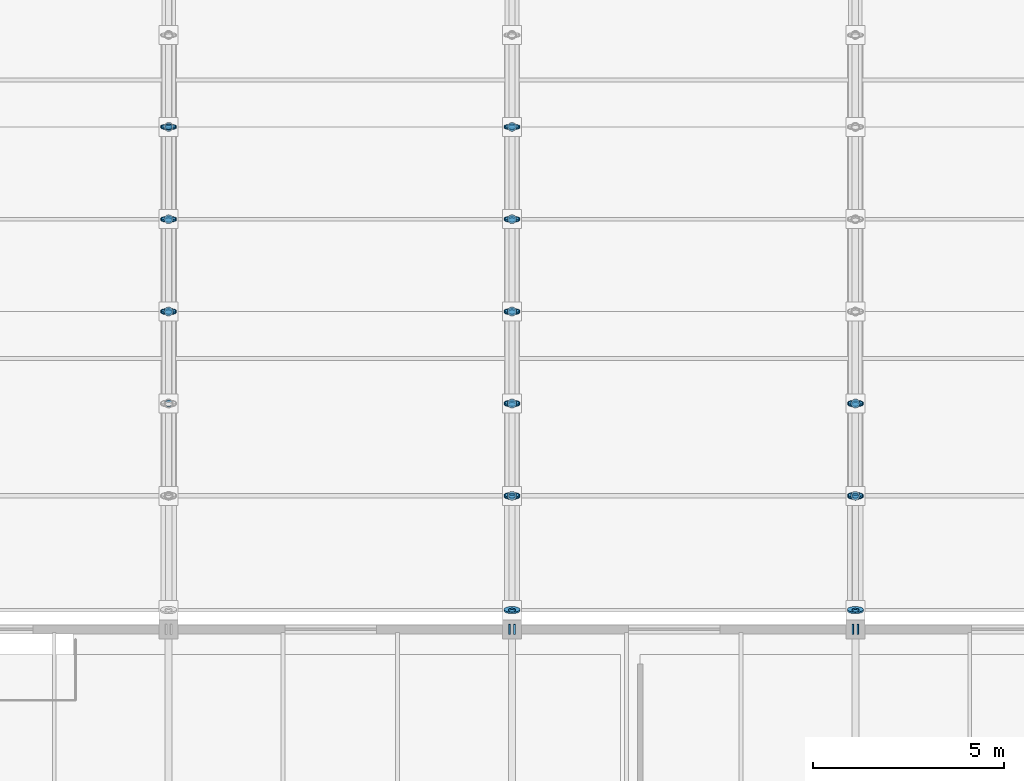
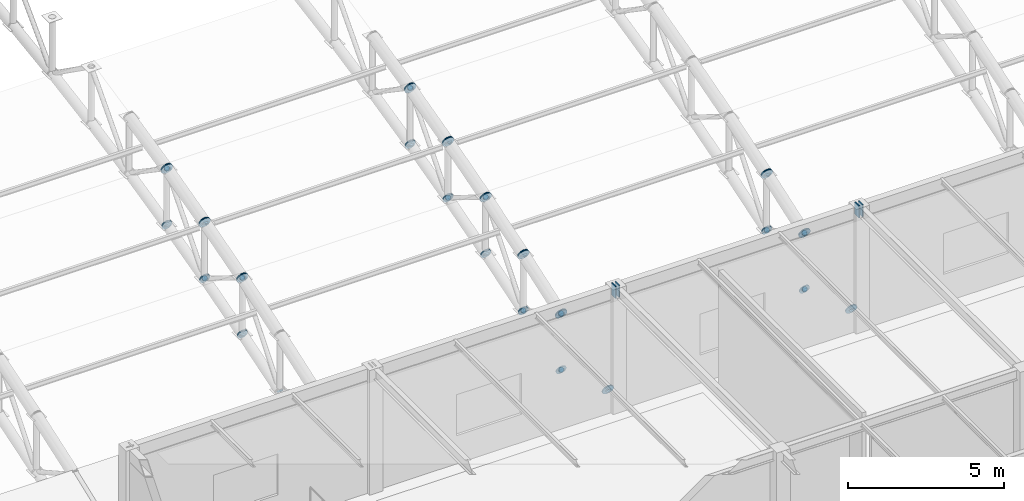
# One storey, part 147 of 195: 87 discrete accessories.
"""IFC4 building model written with IfcOpenShell, lengths in metres."""

import ifcopenshell
import ifcopenshell.guid

model = None  # the IFC model being written
_history = None  # IfcOwnerHistory: only IFC2X3 demands one
_inside = {}  # id of a spatial element -> (the spatial element, [elements in it])
_under = {}  # id of a project, library or spatial element -> (it, [spatial elements below it])
_declared = {}  # id of a project -> (the project, [libraries it declares])
_typed = {}  # id of a type object -> (the type object, [elements of that type])
_made_of = {}  # id of a material, layer set ... -> (it, [elements and type objects made of it])


def new_model(schema):
    """Start an empty IFC model of exactly this schema.

    Asked for "IFC4X3", IfcOpenShell would pick the latest addendum, in which some entities
    have other attributes; the version numbers below select the first issue.
    IFC2X3 requires an IfcOwnerHistory on every rooted entity: one is made here for all.
    """
    global model, _history
    if schema == "IFC4X3":
        model = ifcopenshell.file(schema_version=(4, 3, 0, 0))
    else:
        model = ifcopenshell.file(schema=schema)
    _inside.clear()
    _under.clear()
    _declared.clear()
    _typed.clear()
    _made_of.clear()
    _history = None
    if model.schema == "IFC2X3":
        org = make("IfcOrganization", Name="unknown")
        user = make(
            "IfcPersonAndOrganization",
            ThePerson=make("IfcPerson", FamilyName="unknown"),
            TheOrganization=org,
        )
        app = make(
            "IfcApplication",
            ApplicationDeveloper=org,
            Version="unknown",
            ApplicationFullName="unknown",
            ApplicationIdentifier="unknown",
        )
        _history = make(
            "IfcOwnerHistory",
            OwningUser=user,
            OwningApplication=app,
            ChangeAction="ADDED",
            CreationDate=0,
        )
    return model


def make(cls, **values):
    """One entity of the class cls with the attributes given. An attribute that is None is left unset."""
    return model.create_entity(
        cls, **{name: value for name, value in values.items() if value is not None}
    )


def rooted(cls, **values):
    """An entity with a GlobalId (a new one), such as an element, a storey or a relation."""
    return make(cls, GlobalId=ifcopenshell.guid.new(), OwnerHistory=_history, **values)


def si_unit(unit_type, name, prefix=None):
    """IfcSIUnit, for example si_unit("LENGTHUNIT", "METRE", prefix="MILLI")."""
    return make("IfcSIUnit", UnitType=unit_type, Prefix=prefix, Name=name)


def assignment(units):
    """IfcUnitAssignment: the units of a project."""
    return None if units is None else make("IfcUnitAssignment", Units=units)


def point(xyz):
    """IfcCartesianPoint."""
    return None if xyz is None else make("IfcCartesianPoint", Coordinates=xyz)


def direction(xyz):
    """IfcDirection."""
    return None if xyz is None else make("IfcDirection", DirectionRatios=xyz)


def frame(location, z_axis=None, x_axis=None):
    """IfcAxis2Placement3D, a coordinate frame: its origin and axes. An axis left out is left unset."""
    return make(
        "IfcAxis2Placement3D",
        Location=point(location),
        Axis=direction(z_axis),
        RefDirection=direction(x_axis),
    )


def frame_2d(location, x_axis=None):
    """IfcAxis2Placement2D, a coordinate frame in the plane: its origin and x axis."""
    return make(
        "IfcAxis2Placement2D", Location=point(location), RefDirection=direction(x_axis)
    )


def origin():
    """The frame at (0, 0, 0) with its axes left unset."""
    return frame((0.0, 0.0, 0.0))


def origin_2d():
    """The frame at (0, 0) in the plane with its x axis left unset."""
    return frame_2d((0.0, 0.0))


def place(relative_to, where):
    """IfcLocalPlacement: puts the frame where relative to a parent placement (None: the world)."""
    return make(
        "IfcLocalPlacement", PlacementRelTo=relative_to, RelativePlacement=where
    )


def context(
    kind, dimensions, precision=None, world=None, true_north=None, identifier=None
):
    """IfcGeometricRepresentationContext, for example the 3D "Model" context."""
    return make(
        "IfcGeometricRepresentationContext",
        ContextIdentifier=identifier,
        ContextType=kind,
        CoordinateSpaceDimension=dimensions,
        Precision=precision,
        WorldCoordinateSystem=world,
        TrueNorth=true_north,
    )


def subcontext(parent, identifier, kind, view, scale=None):
    """IfcGeometricRepresentationSubContext, for example "Body" below "Model"."""
    return make(
        "IfcGeometricRepresentationSubContext",
        ContextIdentifier=identifier,
        ContextType=kind,
        ParentContext=parent,
        TargetScale=scale,
        TargetView=view,
    )


def project(units=None, contexts=None):
    """IfcProject with its units and contexts."""
    return rooted(
        "IfcProject",
        Name="project",
        RepresentationContexts=contexts,
        UnitsInContext=assignment(units),
    )


def spatial(cls, under=None, at=None, **own):
    """A site, building, storey or space (cls), placed at a placement, below another one or the project."""
    s = rooted(cls, ObjectPlacement=at, **own)
    if under is not None:
        _under.setdefault(under.id(), (under, []))[1].append(s)
    return s


def profile(cls, at=None, kind="AREA", **sizes):
    """A parametric profile (cls). Its sizes go by their IFC names, for example OverallWidth=200.0."""
    return make(cls, ProfileType=kind, Position=at, **sizes)


def rectangle(**sizes):
    """IfcRectangleProfileDef."""
    return profile("IfcRectangleProfileDef", **sizes)


def circle(**sizes):
    """IfcCircleProfileDef."""
    return profile("IfcCircleProfileDef", **sizes)


def extrude(swept, where, along, depth):
    """IfcExtrudedAreaSolid: the profile swept, set in the frame where, extruded along a direction by depth."""
    return make(
        "IfcExtrudedAreaSolid",
        SweptArea=swept,
        Position=where,
        ExtrudedDirection=direction(along),
        Depth=depth,
    )


def shape(context_of_items, identifier, shape_type, items):
    """IfcShapeRepresentation: the items that make up one representation, for example the "Body"."""
    return make(
        "IfcShapeRepresentation",
        ContextOfItems=context_of_items,
        RepresentationIdentifier=identifier,
        RepresentationType=shape_type,
        Items=items,
    )


def material(Name=None, Category=None):
    """IfcMaterial."""
    return make("IfcMaterial", Name=Name, Category=Category)


def made_of(thing, what):
    """Note that an element or type object is made of a material, layer set ...; save() writes the relation."""
    if what is not None:
        _made_of.setdefault(what.id(), (what, []))[1].append(thing)
    return thing


def element(
    cls,
    number,
    at=None,
    inside=None,
    cuts=None,
    type_object=None,
    material=None,
    context=None,
    identifier="Body",
    shape_type=None,
    held_by="IfcProductDefinitionShape",
    body=None,
    shapes=None,
    **own,
):
    """One element of the class cls, such as IfcWall. Its Tag is "e" and its number.

    at: its placement. inside: the storey or other place that contains it. cuts: it is an
    opening in that element (IfcRelVoidsElement). A single representation is given by context,
    identifier, shape_type and body (its items); several are given by shapes. held_by: the class
    of the entity that holds the representations. save() writes the other relations.
    """
    e = rooted(cls, Tag="e%d" % number, ObjectPlacement=at, **own)
    if body is not None:
        shapes = [shape(context, identifier, shape_type, body)]
    if shapes is not None:
        e.Representation = make(held_by, Representations=shapes)
    if inside is not None:
        _inside.setdefault(inside.id(), (inside, []))[1].append(e)
    if cuts is not None:
        rooted(
            "IfcRelVoidsElement", RelatingBuildingElement=cuts, RelatedOpeningElement=e
        )
    if type_object is not None:
        _typed.setdefault(type_object.id(), (type_object, []))[1].append(e)
    return made_of(e, material)


def aggregate(whole, parts):
    """IfcRelAggregates: a whole, such as a stair, and the parts it consists of."""
    return rooted("IfcRelAggregates", RelatingObject=whole, RelatedObjects=parts)


def save(model, path):
    """Write the relations noted so far, then the file.

    IfcRelAggregates (storeys below a building ...), IfcRelContainedInSpatialStructure (elements
    in a storey), IfcRelDefinesByType, IfcRelAssociatesMaterial and IfcRelDeclares: one each for
    every whole, place, type object, material and project.
    """
    for whole, parts in _under.values():
        aggregate(whole, parts)
    for where, things in _inside.values():
        rooted(
            "IfcRelContainedInSpatialStructure",
            RelatedElements=things,
            RelatingStructure=where,
        )
    for kind, things in _typed.values():
        rooted("IfcRelDefinesByType", RelatedObjects=things, RelatingType=kind)
    for what, things in _made_of.values():
        rooted("IfcRelAssociatesMaterial", RelatedObjects=things, RelatingMaterial=what)
    for by, libraries in _declared.values():
        rooted("IfcRelDeclares", RelatingContext=by, RelatedDefinitions=libraries)
    model.write(path)


model = new_model("IFC4")

# Units and contexts
model_context = context("Model", 3, precision=1e-05, world=origin(), true_north=direction((0.0, 1.0)))
body_context = subcontext(model_context, "Body", "Model", "MODEL_VIEW")
ifc_project = project(units=[si_unit("LENGTHUNIT", "METRE"), si_unit("AREAUNIT", "SQUARE_METRE"), si_unit("VOLUMEUNIT", "CUBIC_METRE"), si_unit("PLANEANGLEUNIT", "RADIAN"), si_unit("MASSUNIT", "GRAM", prefix="KILO")], contexts=[model_context])

# Site, building, storey
site_placement = place(None, origin())
site = spatial("IfcSite", under=ifc_project, at=site_placement, CompositionType="ELEMENT")
building_placement = place(site_placement, origin())
building = spatial("IfcBuilding", under=site, at=building_placement, Name="Marlcrest Central Station", CompositionType="ELEMENT")
storey_placement = place(building_placement, frame((0.0, 0.0, 9.800048828125)))
storey = spatial("IfcBuildingStorey", under=building, at=storey_placement, Name="L02", CompositionType="ELEMENT", Elevation=9.800048828125)

# Discrete accessories
ifc_material = material(Name="Steel S355", Category="steel")
for number, where, z_axis, x_axis, name in (
    (1, (170.9150390625, 33.0, 4.64501953125), (1.0, 0.0, 0.0), (0.0, 1.0, 0.0), "endcap-bm-SP-02-L02-00974-e"),
    (2, (171.045166015625, 33.0, 4.64501953125), (1.0, 0.0, 0.0), (0.0, 1.0, 0.0), "endcap-bm-SP-02-L02-00975-s"),
    (3, (179.9150390625, 33.0, 4.64501953125), (1.0, 0.0, 0.0), (0.0, 1.0, 0.0), "endcap-bm-SP-02-L02-00975-e"),
    (4, (180.045166015625, 33.0, 4.64501953125), (1.0, 0.0, 0.0), (0.0, 1.0, 0.0), "endcap-bm-SP-02-L02-00976-s"),
):
    element("IfcDiscreteAccessory", number, at=place(storey_placement, frame(where, z_axis=z_axis, x_axis=x_axis)), inside=storey, material=ifc_material, Name=name, ObjectType="END_CAP_PLATE", PredefinedType="BRACKET", context=body_context, shape_type="SweptSolid", body=[
        extrude(rectangle(XDim=0.26611328125, YDim=0.466064453125, at=origin_2d()), origin(), (0.0, 0.0, 1.0), 0.0400390625),
    ])
discrete_accessory_1_placement = place(storey_placement, frame((162.0, 41.306396484375, 3.2158203125), z_axis=(0.0, 0.952116828449, 0.305734435391), x_axis=(-1.0, 0.0, 0.0)))
element("IfcDiscreteAccessory", 5, at=discrete_accessory_1_placement, inside=storey, material=ifc_material, Name="endcap-mem-AC-01-L02-01328-e", ObjectType="END_CAP_PLATE", PredefinedType="BRACKET", context=body_context, shape_type="SweptSolid", body=[
    extrude(circle(Radius=0.211181640625, at=origin_2d()), origin(), (0.0, 0.0, 1.0), 0.0400390625),
])
discrete_accessory_2_placement = place(storey_placement, frame((162.0, 41.306396484375, 1.015869140625), z_axis=(0.0, 0.952116828449, 0.305734435391), x_axis=(-1.0, 0.0, 0.0)))
element("IfcDiscreteAccessory", 6, at=discrete_accessory_2_placement, inside=storey, material=ifc_material, Name="endcap-mem-AC-02-L02-01329-e", ObjectType="END_CAP_PLATE", PredefinedType="BRACKET", context=body_context, shape_type="SweptSolid", body=[
    extrude(circle(Radius=0.185791015625, at=origin_2d()), origin(), (0.0, 0.0, 1.0), 0.0400390625),
])
for number, where, z_axis, x_axis, name in (
    (7, (162.0, 38.910400390625, 0.23779296875), (0.0, 0.62962929743, 0.776895712318), (-1.0, 0.0, 0.0), "endcap-mem-AD-01-L02-01331-s"),
    (8, (162.0, 41.314453125, 3.203857421875), (0.0, 0.62962929743, 0.776895712318), (-1.0, 0.0, 0.0), "endcap-mem-AD-01-L02-01331-e"),
):
    element("IfcDiscreteAccessory", number, at=place(storey_placement, frame(where, z_axis=z_axis, x_axis=x_axis)), inside=storey, material=ifc_material, Name=name, ObjectType="END_CAP_PLATE", PredefinedType="BRACKET", context=body_context, shape_type="SweptSolid", body=[
        extrude(circle(Radius=0.092041015625, at=origin_2d()), origin(), (0.0, 0.0, 1.0), 0.0400390625),
    ])
for number, where, z_axis, x_axis, name in (
    (9, (162.0, 41.315673828125, 3.21923828125), (0.0, 0.960130083362, 0.27955361386), (-1.0, 0.0, 0.0), "endcap-mem-AC-01-L02-01332-s"),
    (10, (162.0, 43.72607421875, 3.9208984375), (0.0, 0.960130083362, 0.27955361386), (-1.0, 0.0, 0.0), "endcap-mem-AC-01-L02-01332-e"),
):
    element("IfcDiscreteAccessory", number, at=place(storey_placement, frame(where, z_axis=z_axis, x_axis=x_axis)), inside=storey, material=ifc_material, Name=name, ObjectType="END_CAP_PLATE", PredefinedType="BRACKET", context=body_context, shape_type="SweptSolid", body=[
        extrude(circle(Radius=0.211181640625, at=origin_2d()), origin(), (0.0, 0.0, 1.0), 0.0400390625),
    ])
for number, where, z_axis, x_axis, name in (
    (11, (162.0, 41.315673828125, 1.019287109375), (0.0, 0.960130083362, 0.27955361386), (-1.0, 0.0, 0.0), "endcap-mem-AC-02-L02-01333-s"),
    (12, (162.0, 43.72607421875, 1.720947265625), (0.0, 0.960130083362, 0.27955361386), (-1.0, 0.0, 0.0), "endcap-mem-AC-02-L02-01333-e"),
):
    element("IfcDiscreteAccessory", number, at=place(storey_placement, frame(where, z_axis=z_axis, x_axis=x_axis)), inside=storey, material=ifc_material, Name=name, ObjectType="END_CAP_PLATE", PredefinedType="BRACKET", context=body_context, shape_type="SweptSolid", body=[
        extrude(circle(Radius=0.185791015625, at=origin_2d()), origin(), (0.0, 0.0, 1.0), 0.0400390625),
    ])
for number, where, z_axis, x_axis, name in (
    (13, (162.0, 41.330078125, 1.008544921875), (0.0, 0.0, 1.0), (1.0, 0.0, 0.0), "endcap-mem-AP-01-L02-01334-s"),
    (14, (162.0, 41.330078125, 3.198486328125), (0.0, 0.0, 1.0), (1.0, 0.0, 0.0), "endcap-mem-AP-01-L02-01334-e"),
):
    element("IfcDiscreteAccessory", number, at=place(storey_placement, frame(where, z_axis=z_axis, x_axis=x_axis)), inside=storey, material=ifc_material, Name=name, ObjectType="END_CAP_PLATE", PredefinedType="BRACKET", context=body_context, shape_type="SweptSolid", body=[
        extrude(circle(Radius=0.117431640625, at=origin_2d()), origin(), (0.0, 0.0, 1.0), 0.0400390625),
    ])
for number, where, z_axis, x_axis, name in (
    (15, (162.0, 41.3173828125, 3.231201171875), (0.0, 0.850687380038, -0.525671933286), (-1.0, 0.0, 0.0), "endcap-mem-AD-01-L02-01335-s"),
    (16, (162.0, 43.728759765625, 1.7412109375), (0.0, 0.850687380038, -0.525671933286), (-1.0, 0.0, 0.0), "endcap-mem-AD-01-L02-01335-e"),
):
    element("IfcDiscreteAccessory", number, at=place(storey_placement, frame(where, z_axis=z_axis, x_axis=x_axis)), inside=storey, material=ifc_material, Name=name, ObjectType="END_CAP_PLATE", PredefinedType="BRACKET", context=body_context, shape_type="SweptSolid", body=[
        extrude(circle(Radius=0.092041015625, at=origin_2d()), origin(), (0.0, 0.0, 1.0), 0.0400390625),
    ])
for number, where, z_axis, x_axis, name in (
    (17, (162.0, 43.735595703125, 3.924072265625), (0.0, 0.967539481681, 0.252719906989), (-1.0, 0.0, 0.0), "endcap-mem-AC-01-L02-01336-s"),
    (18, (162.0, 46.145751953125, 4.5537109375), (0.0, 0.967539481681, 0.252719906989), (-1.0, 0.0, 0.0), "endcap-mem-AC-01-L02-01336-e"),
):
    element("IfcDiscreteAccessory", number, at=place(storey_placement, frame(where, z_axis=z_axis, x_axis=x_axis)), inside=storey, material=ifc_material, Name=name, ObjectType="END_CAP_PLATE", PredefinedType="BRACKET", context=body_context, shape_type="SweptSolid", body=[
        extrude(circle(Radius=0.211181640625, at=origin_2d()), origin(), (0.0, 0.0, 1.0), 0.0400390625),
    ])
for number, where, z_axis, x_axis, name in (
    (19, (162.0, 43.735595703125, 1.72412109375), (0.0, 0.967563345928, 0.252628524946), (-1.0, 0.0, 0.0), "endcap-mem-AC-02-L02-01337-s"),
    (20, (162.0, 46.145751953125, 2.353515625), (0.0, 0.967563345928, 0.252628524946), (-1.0, 0.0, 0.0), "endcap-mem-AC-02-L02-01337-e"),
):
    element("IfcDiscreteAccessory", number, at=place(storey_placement, frame(where, z_axis=z_axis, x_axis=x_axis)), inside=storey, material=ifc_material, Name=name, ObjectType="END_CAP_PLATE", PredefinedType="BRACKET", context=body_context, shape_type="SweptSolid", body=[
        extrude(circle(Radius=0.185791015625, at=origin_2d()), origin(), (0.0, 0.0, 1.0), 0.0400390625),
    ])
for number, where, z_axis, x_axis, name in (
    (21, (162.0, 43.75, 1.713134765625), (0.0, 0.0, 1.0), (1.0, 0.0, 0.0), "endcap-mem-AP-01-L02-01338-s"),
    (22, (162.0, 43.75, 3.903076171875), (0.0, 0.0, 1.0), (1.0, 0.0, 0.0), "endcap-mem-AP-01-L02-01338-e"),
):
    element("IfcDiscreteAccessory", number, at=place(storey_placement, frame(where, z_axis=z_axis, x_axis=x_axis)), inside=storey, material=ifc_material, Name=name, ObjectType="END_CAP_PLATE", PredefinedType="BRACKET", context=body_context, shape_type="SweptSolid", body=[
        extrude(circle(Radius=0.117431640625, at=origin_2d()), origin(), (0.0, 0.0, 1.0), 0.0400390625),
    ])
for number, where, z_axis, x_axis, name in (
    (23, (162.0, 43.740234375, 1.716552734375), (0.0, 0.649624779144, 0.760254987699), (-1.0, 0.0, 0.0), "endcap-mem-AD-01-L02-01339-s"),
    (24, (162.0, 46.153564453125, 4.541015625), (0.0, 0.649624779144, 0.760254987699), (-1.0, 0.0, 0.0), "endcap-mem-AD-01-L02-01339-e"),
):
    element("IfcDiscreteAccessory", number, at=place(storey_placement, frame(where, z_axis=z_axis, x_axis=x_axis)), inside=storey, material=ifc_material, Name=name, ObjectType="END_CAP_PLATE", PredefinedType="BRACKET", context=body_context, shape_type="SweptSolid", body=[
        extrude(circle(Radius=0.092041015625, at=origin_2d()), origin(), (0.0, 0.0, 1.0), 0.0400390625),
    ])
discrete_accessory_3_placement = place(storey_placement, frame((162.0, 46.1552734375, 4.556640625), z_axis=(0.0, 0.974329612642, 0.225126200004), x_axis=(-1.0, 0.0, 0.0)))
element("IfcDiscreteAccessory", 25, at=discrete_accessory_3_placement, inside=storey, material=ifc_material, Name="endcap-mem-AC-01-L02-01340-s", ObjectType="END_CAP_PLATE", PredefinedType="BRACKET", context=body_context, shape_type="SweptSolid", body=[
    extrude(circle(Radius=0.211181640625, at=origin_2d()), origin(), (0.0, 0.0, 1.0), 0.0400390625),
])
discrete_accessory_4_placement = place(storey_placement, frame((162.0, 46.1552734375, 2.3564453125), z_axis=(0.0, 0.974307959875, 0.225219891049), x_axis=(-1.0, 0.0, 0.0)))
element("IfcDiscreteAccessory", 26, at=discrete_accessory_4_placement, inside=storey, material=ifc_material, Name="endcap-mem-AC-02-L02-01341-s", ObjectType="END_CAP_PLATE", PredefinedType="BRACKET", context=body_context, shape_type="SweptSolid", body=[
    extrude(circle(Radius=0.185791015625, at=origin_2d()), origin(), (0.0, 0.0, 1.0), 0.0400390625),
])
for number, where, z_axis, x_axis, name in (
    (27, (162.0, 46.169921875, 2.344970703125), (0.0, 0.0, 1.0), (1.0, 0.0, 0.0), "endcap-mem-AP-01-L02-01342-s"),
    (28, (162.0, 46.169921875, 4.53515625), (0.0, 0.0, 1.0), (1.0, 0.0, 0.0), "endcap-mem-AP-01-L02-01342-e"),
):
    element("IfcDiscreteAccessory", number, at=place(storey_placement, frame(where, z_axis=z_axis, x_axis=x_axis)), inside=storey, material=ifc_material, Name=name, ObjectType="END_CAP_PLATE", PredefinedType="BRACKET", context=body_context, shape_type="SweptSolid", body=[
        extrude(circle(Radius=0.117431640625, at=origin_2d()), origin(), (0.0, 0.0, 1.0), 0.0400390625),
    ])
discrete_accessory_5_placement = place(storey_placement, frame((162.0, 46.157470703125, 4.568603515625), z_axis=(0.0, 0.82626275624, -0.563284881432), x_axis=(-1.0, 0.0, 0.0)))
element("IfcDiscreteAccessory", 29, at=discrete_accessory_5_placement, inside=storey, material=ifc_material, Name="endcap-mem-AD-01-L02-01343-s", ObjectType="END_CAP_PLATE", PredefinedType="BRACKET", context=body_context, shape_type="SweptSolid", body=[
    extrude(circle(Radius=0.092041015625, at=origin_2d()), origin(), (0.0, 0.0, 1.0), 0.0400390625),
])
for number, where, z_axis, x_axis, name in (
    (30, (171.0, 33.486083984375, 0.4404296875), (0.0, 0.933324071143, 0.359035065453), (-1.0, 0.0, 0.0), "endcap-mem-AC-01-L02-01438-s"),
    (31, (171.0, 36.4765625, 1.5908203125), (0.0, 0.933324071143, 0.359035065453), (-1.0, 0.0, 0.0), "endcap-mem-AC-01-L02-01438-e"),
):
    element("IfcDiscreteAccessory", number, at=place(storey_placement, frame(where, z_axis=z_axis, x_axis=x_axis)), inside=storey, material=ifc_material, Name=name, ObjectType="END_CAP_PLATE", PredefinedType="BRACKET", context=body_context, shape_type="SweptSolid", body=[
        extrude(circle(Radius=0.211181640625, at=origin_2d()), origin(), (0.0, 0.0, 1.0), 0.0400390625),
    ])
for number, where, z_axis, x_axis, name in (
    (32, (171.0, 36.51416015625, -0.60498046875), (0.0, -0.944260188635, 0.329200085296), (1.0, 0.0, 0.0), "endcap-mem-AD-01-L02-01439-s"),
    (33, (171.0, 33.523681640625, 0.4375), (0.0, -0.944260188635, 0.329200085296), (1.0, 0.0, 0.0), "endcap-mem-AD-01-L02-01439-e"),
):
    element("IfcDiscreteAccessory", number, at=place(storey_placement, frame(where, z_axis=z_axis, x_axis=x_axis)), inside=storey, material=ifc_material, Name=name, ObjectType="END_CAP_PLATE", PredefinedType="BRACKET", context=body_context, shape_type="SweptSolid", body=[
        extrude(circle(Radius=0.092041015625, at=origin_2d()), origin(), (0.0, 0.0, 1.0), 0.0400390625),
    ])
for number, where, z_axis, x_axis, name in (
    (34, (171.0, 36.48583984375, 1.594970703125), (0.0, 0.94353735649, 0.331266142109), (-1.0, 0.0, 0.0), "endcap-mem-AC-01-L02-01440-s"),
    (35, (171.0, 38.896240234375, 2.441162109375), (0.0, 0.94353735649, 0.331266142109), (-1.0, 0.0, 0.0), "endcap-mem-AC-01-L02-01440-e"),
):
    element("IfcDiscreteAccessory", number, at=place(storey_placement, frame(where, z_axis=z_axis, x_axis=x_axis)), inside=storey, material=ifc_material, Name=name, ObjectType="END_CAP_PLATE", PredefinedType="BRACKET", context=body_context, shape_type="SweptSolid", body=[
        extrude(circle(Radius=0.211181640625, at=origin_2d()), origin(), (0.0, 0.0, 1.0), 0.0400390625),
    ])
for number, where, z_axis, x_axis, name in (
    (36, (171.0, 36.48583984375, -0.60498046875), (0.0, 0.94353735649, 0.331266142109), (-1.0, 0.0, 0.0), "endcap-mem-AC-02-L02-01441-s"),
    (37, (171.0, 38.896240234375, 0.2412109375), (0.0, 0.94353735649, 0.331266142109), (-1.0, 0.0, 0.0), "endcap-mem-AC-02-L02-01441-e"),
):
    element("IfcDiscreteAccessory", number, at=place(storey_placement, frame(where, z_axis=z_axis, x_axis=x_axis)), inside=storey, material=ifc_material, Name=name, ObjectType="END_CAP_PLATE", PredefinedType="BRACKET", context=body_context, shape_type="SweptSolid", body=[
        extrude(circle(Radius=0.185791015625, at=origin_2d()), origin(), (0.0, 0.0, 1.0), 0.0400390625),
    ])
for number, where, z_axis, x_axis, name in (
    (38, (171.0, 36.5, -0.614990234375), (0.0, 0.0, 1.0), (1.0, 0.0, 0.0), "endcap-mem-AP-01-L02-01442-s"),
    (39, (171.0, 36.5, 1.574951171875), (0.0, 0.0, 1.0), (1.0, 0.0, 0.0), "endcap-mem-AP-01-L02-01442-e"),
):
    element("IfcDiscreteAccessory", number, at=place(storey_placement, frame(where, z_axis=z_axis, x_axis=x_axis)), inside=storey, material=ifc_material, Name=name, ObjectType="END_CAP_PLATE", PredefinedType="BRACKET", context=body_context, shape_type="SweptSolid", body=[
        extrude(circle(Radius=0.117431640625, at=origin_2d()), origin(), (0.0, 0.0, 1.0), 0.0400390625),
    ])
for number, where, z_axis, x_axis, name in (
    (40, (171.0, 36.48681640625, 1.607177734375), (0.0, 0.873245653167, -0.487280236851), (-1.0, 0.0, 0.0), "endcap-mem-AD-01-L02-01443-s"),
    (41, (171.0, 38.898193359375, 0.26171875), (0.0, 0.873245653167, -0.487280236851), (-1.0, 0.0, 0.0), "endcap-mem-AD-01-L02-01443-e"),
):
    element("IfcDiscreteAccessory", number, at=place(storey_placement, frame(where, z_axis=z_axis, x_axis=x_axis)), inside=storey, material=ifc_material, Name=name, ObjectType="END_CAP_PLATE", PredefinedType="BRACKET", context=body_context, shape_type="SweptSolid", body=[
        extrude(circle(Radius=0.092041015625, at=origin_2d()), origin(), (0.0, 0.0, 1.0), 0.0400390625),
    ])
for number, where, z_axis, x_axis, name in (
    (42, (171.0, 38.90576171875, 2.44482421875), (0.0, 0.952116828449, 0.305734435391), (-1.0, 0.0, 0.0), "endcap-mem-AC-01-L02-01444-s"),
    (43, (171.0, 41.306396484375, 3.2158203125), (0.0, 0.952116828449, 0.305734435391), (-1.0, 0.0, 0.0), "endcap-mem-AC-01-L02-01444-e"),
):
    element("IfcDiscreteAccessory", number, at=place(storey_placement, frame(where, z_axis=z_axis, x_axis=x_axis)), inside=storey, material=ifc_material, Name=name, ObjectType="END_CAP_PLATE", PredefinedType="BRACKET", context=body_context, shape_type="SweptSolid", body=[
        extrude(circle(Radius=0.211181640625, at=origin_2d()), origin(), (0.0, 0.0, 1.0), 0.0400390625),
    ])
for number, where, z_axis, x_axis, name in (
    (44, (171.0, 38.90576171875, 0.244873046875), (0.0, 0.952116828449, 0.305734435391), (-1.0, 0.0, 0.0), "endcap-mem-AC-02-L02-01445-s"),
    (45, (171.0, 41.306396484375, 1.015869140625), (0.0, 0.952116828449, 0.305734435391), (-1.0, 0.0, 0.0), "endcap-mem-AC-02-L02-01445-e"),
):
    element("IfcDiscreteAccessory", number, at=place(storey_placement, frame(where, z_axis=z_axis, x_axis=x_axis)), inside=storey, material=ifc_material, Name=name, ObjectType="END_CAP_PLATE", PredefinedType="BRACKET", context=body_context, shape_type="SweptSolid", body=[
        extrude(circle(Radius=0.185791015625, at=origin_2d()), origin(), (0.0, 0.0, 1.0), 0.0400390625),
    ])
for number, where, z_axis, x_axis, name in (
    (46, (171.0, 38.919921875, 0.234619140625), (0.0, 0.0, 1.0), (1.0, 0.0, 0.0), "endcap-mem-AP-01-L02-01446-s"),
    (47, (171.0, 38.919921875, 2.424560546875), (0.0, 0.0, 1.0), (1.0, 0.0, 0.0), "endcap-mem-AP-01-L02-01446-e"),
):
    element("IfcDiscreteAccessory", number, at=place(storey_placement, frame(where, z_axis=z_axis, x_axis=x_axis)), inside=storey, material=ifc_material, Name=name, ObjectType="END_CAP_PLATE", PredefinedType="BRACKET", context=body_context, shape_type="SweptSolid", body=[
        extrude(circle(Radius=0.117431640625, at=origin_2d()), origin(), (0.0, 0.0, 1.0), 0.0400390625),
    ])
for number, where, z_axis, x_axis, name in (
    (48, (171.0, 38.910400390625, 0.23779296875), (0.0, 0.62962929743, 0.776895712318), (-1.0, 0.0, 0.0), "endcap-mem-AD-01-L02-01447-s"),
    (49, (171.0, 41.314453125, 3.203857421875), (0.0, 0.62962929743, 0.776895712318), (-1.0, 0.0, 0.0), "endcap-mem-AD-01-L02-01447-e"),
):
    element("IfcDiscreteAccessory", number, at=place(storey_placement, frame(where, z_axis=z_axis, x_axis=x_axis)), inside=storey, material=ifc_material, Name=name, ObjectType="END_CAP_PLATE", PredefinedType="BRACKET", context=body_context, shape_type="SweptSolid", body=[
        extrude(circle(Radius=0.092041015625, at=origin_2d()), origin(), (0.0, 0.0, 1.0), 0.0400390625),
    ])
for number, where, z_axis, x_axis, name in (
    (50, (171.0, 41.315673828125, 3.21923828125), (0.0, 0.960130083362, 0.27955361386), (-1.0, 0.0, 0.0), "endcap-mem-AC-01-L02-01448-s"),
    (51, (171.0, 43.72607421875, 3.9208984375), (0.0, 0.960130083362, 0.27955361386), (-1.0, 0.0, 0.0), "endcap-mem-AC-01-L02-01448-e"),
):
    element("IfcDiscreteAccessory", number, at=place(storey_placement, frame(where, z_axis=z_axis, x_axis=x_axis)), inside=storey, material=ifc_material, Name=name, ObjectType="END_CAP_PLATE", PredefinedType="BRACKET", context=body_context, shape_type="SweptSolid", body=[
        extrude(circle(Radius=0.211181640625, at=origin_2d()), origin(), (0.0, 0.0, 1.0), 0.0400390625),
    ])
for number, where, z_axis, x_axis, name in (
    (52, (171.0, 41.315673828125, 1.019287109375), (0.0, 0.960130083362, 0.27955361386), (-1.0, 0.0, 0.0), "endcap-mem-AC-02-L02-01449-s"),
    (53, (171.0, 43.72607421875, 1.720947265625), (0.0, 0.960130083362, 0.27955361386), (-1.0, 0.0, 0.0), "endcap-mem-AC-02-L02-01449-e"),
):
    element("IfcDiscreteAccessory", number, at=place(storey_placement, frame(where, z_axis=z_axis, x_axis=x_axis)), inside=storey, material=ifc_material, Name=name, ObjectType="END_CAP_PLATE", PredefinedType="BRACKET", context=body_context, shape_type="SweptSolid", body=[
        extrude(circle(Radius=0.185791015625, at=origin_2d()), origin(), (0.0, 0.0, 1.0), 0.0400390625),
    ])
for number, where, z_axis, x_axis, name in (
    (54, (171.0, 41.330078125, 1.008544921875), (0.0, 0.0, 1.0), (1.0, 0.0, 0.0), "endcap-mem-AP-01-L02-01450-s"),
    (55, (171.0, 41.330078125, 3.198486328125), (0.0, 0.0, 1.0), (1.0, 0.0, 0.0), "endcap-mem-AP-01-L02-01450-e"),
):
    element("IfcDiscreteAccessory", number, at=place(storey_placement, frame(where, z_axis=z_axis, x_axis=x_axis)), inside=storey, material=ifc_material, Name=name, ObjectType="END_CAP_PLATE", PredefinedType="BRACKET", context=body_context, shape_type="SweptSolid", body=[
        extrude(circle(Radius=0.117431640625, at=origin_2d()), origin(), (0.0, 0.0, 1.0), 0.0400390625),
    ])
for number, where, z_axis, x_axis, name in (
    (56, (171.0, 41.3173828125, 3.231201171875), (0.0, 0.850687380038, -0.525671933286), (-1.0, 0.0, 0.0), "endcap-mem-AD-01-L02-01451-s"),
    (57, (171.0, 43.728759765625, 1.7412109375), (0.0, 0.850687380038, -0.525671933286), (-1.0, 0.0, 0.0), "endcap-mem-AD-01-L02-01451-e"),
):
    element("IfcDiscreteAccessory", number, at=place(storey_placement, frame(where, z_axis=z_axis, x_axis=x_axis)), inside=storey, material=ifc_material, Name=name, ObjectType="END_CAP_PLATE", PredefinedType="BRACKET", context=body_context, shape_type="SweptSolid", body=[
        extrude(circle(Radius=0.092041015625, at=origin_2d()), origin(), (0.0, 0.0, 1.0), 0.0400390625),
    ])
for number, where, z_axis, x_axis, name in (
    (58, (171.0, 43.735595703125, 3.924072265625), (0.0, 0.967539481681, 0.252719906989), (-1.0, 0.0, 0.0), "endcap-mem-AC-01-L02-01452-s"),
    (59, (171.0, 46.145751953125, 4.5537109375), (0.0, 0.967539481681, 0.252719906989), (-1.0, 0.0, 0.0), "endcap-mem-AC-01-L02-01452-e"),
):
    element("IfcDiscreteAccessory", number, at=place(storey_placement, frame(where, z_axis=z_axis, x_axis=x_axis)), inside=storey, material=ifc_material, Name=name, ObjectType="END_CAP_PLATE", PredefinedType="BRACKET", context=body_context, shape_type="SweptSolid", body=[
        extrude(circle(Radius=0.211181640625, at=origin_2d()), origin(), (0.0, 0.0, 1.0), 0.0400390625),
    ])
for number, where, z_axis, x_axis, name in (
    (60, (171.0, 43.735595703125, 1.72412109375), (0.0, 0.967563345928, 0.252628524946), (-1.0, 0.0, 0.0), "endcap-mem-AC-02-L02-01453-s"),
    (61, (171.0, 46.145751953125, 2.353515625), (0.0, 0.967563345928, 0.252628524946), (-1.0, 0.0, 0.0), "endcap-mem-AC-02-L02-01453-e"),
):
    element("IfcDiscreteAccessory", number, at=place(storey_placement, frame(where, z_axis=z_axis, x_axis=x_axis)), inside=storey, material=ifc_material, Name=name, ObjectType="END_CAP_PLATE", PredefinedType="BRACKET", context=body_context, shape_type="SweptSolid", body=[
        extrude(circle(Radius=0.185791015625, at=origin_2d()), origin(), (0.0, 0.0, 1.0), 0.0400390625),
    ])
for number, where, z_axis, x_axis, name in (
    (62, (171.0, 43.75, 1.713134765625), (0.0, 0.0, 1.0), (1.0, 0.0, 0.0), "endcap-mem-AP-01-L02-01454-s"),
    (63, (171.0, 43.75, 3.903076171875), (0.0, 0.0, 1.0), (1.0, 0.0, 0.0), "endcap-mem-AP-01-L02-01454-e"),
):
    element("IfcDiscreteAccessory", number, at=place(storey_placement, frame(where, z_axis=z_axis, x_axis=x_axis)), inside=storey, material=ifc_material, Name=name, ObjectType="END_CAP_PLATE", PredefinedType="BRACKET", context=body_context, shape_type="SweptSolid", body=[
        extrude(circle(Radius=0.117431640625, at=origin_2d()), origin(), (0.0, 0.0, 1.0), 0.0400390625),
    ])
for number, where, z_axis, x_axis, name in (
    (64, (171.0, 43.740234375, 1.716552734375), (0.0, 0.649624779144, 0.760254987699), (-1.0, 0.0, 0.0), "endcap-mem-AD-01-L02-01455-s"),
    (65, (171.0, 46.153564453125, 4.541015625), (0.0, 0.649624779144, 0.760254987699), (-1.0, 0.0, 0.0), "endcap-mem-AD-01-L02-01455-e"),
):
    element("IfcDiscreteAccessory", number, at=place(storey_placement, frame(where, z_axis=z_axis, x_axis=x_axis)), inside=storey, material=ifc_material, Name=name, ObjectType="END_CAP_PLATE", PredefinedType="BRACKET", context=body_context, shape_type="SweptSolid", body=[
        extrude(circle(Radius=0.092041015625, at=origin_2d()), origin(), (0.0, 0.0, 1.0), 0.0400390625),
    ])
discrete_accessory_6_placement = place(storey_placement, frame((171.0, 46.1552734375, 4.556640625), z_axis=(0.0, 0.974329612642, 0.225126200004), x_axis=(-1.0, 0.0, 0.0)))
element("IfcDiscreteAccessory", 66, at=discrete_accessory_6_placement, inside=storey, material=ifc_material, Name="endcap-mem-AC-01-L02-01456-s", ObjectType="END_CAP_PLATE", PredefinedType="BRACKET", context=body_context, shape_type="SweptSolid", body=[
    extrude(circle(Radius=0.211181640625, at=origin_2d()), origin(), (0.0, 0.0, 1.0), 0.0400390625),
])
discrete_accessory_7_placement = place(storey_placement, frame((171.0, 46.1552734375, 2.3564453125), z_axis=(0.0, 0.974307959875, 0.225219891049), x_axis=(-1.0, 0.0, 0.0)))
element("IfcDiscreteAccessory", 67, at=discrete_accessory_7_placement, inside=storey, material=ifc_material, Name="endcap-mem-AC-02-L02-01457-s", ObjectType="END_CAP_PLATE", PredefinedType="BRACKET", context=body_context, shape_type="SweptSolid", body=[
    extrude(circle(Radius=0.185791015625, at=origin_2d()), origin(), (0.0, 0.0, 1.0), 0.0400390625),
])
for number, where, z_axis, x_axis, name in (
    (68, (171.0, 46.169921875, 2.344970703125), (0.0, 0.0, 1.0), (1.0, 0.0, 0.0), "endcap-mem-AP-01-L02-01458-s"),
    (69, (171.0, 46.169921875, 4.53515625), (0.0, 0.0, 1.0), (1.0, 0.0, 0.0), "endcap-mem-AP-01-L02-01458-e"),
):
    element("IfcDiscreteAccessory", number, at=place(storey_placement, frame(where, z_axis=z_axis, x_axis=x_axis)), inside=storey, material=ifc_material, Name=name, ObjectType="END_CAP_PLATE", PredefinedType="BRACKET", context=body_context, shape_type="SweptSolid", body=[
        extrude(circle(Radius=0.117431640625, at=origin_2d()), origin(), (0.0, 0.0, 1.0), 0.0400390625),
    ])
discrete_accessory_8_placement = place(storey_placement, frame((171.0, 46.157470703125, 4.568603515625), z_axis=(0.0, 0.82626275624, -0.563284881432), x_axis=(-1.0, 0.0, 0.0)))
element("IfcDiscreteAccessory", 70, at=discrete_accessory_8_placement, inside=storey, material=ifc_material, Name="endcap-mem-AD-01-L02-01459-s", ObjectType="END_CAP_PLATE", PredefinedType="BRACKET", context=body_context, shape_type="SweptSolid", body=[
    extrude(circle(Radius=0.092041015625, at=origin_2d()), origin(), (0.0, 0.0, 1.0), 0.0400390625),
])
for number, where, z_axis, x_axis, name in (
    (71, (180.0, 33.486083984375, 0.4404296875), (0.0, 0.933324071143, 0.359035065453), (-1.0, 0.0, 0.0), "endcap-mem-AC-01-L02-01554-s"),
    (72, (180.0, 36.4765625, 1.5908203125), (0.0, 0.933324071143, 0.359035065453), (-1.0, 0.0, 0.0), "endcap-mem-AC-01-L02-01554-e"),
):
    element("IfcDiscreteAccessory", number, at=place(storey_placement, frame(where, z_axis=z_axis, x_axis=x_axis)), inside=storey, material=ifc_material, Name=name, ObjectType="END_CAP_PLATE", PredefinedType="BRACKET", context=body_context, shape_type="SweptSolid", body=[
        extrude(circle(Radius=0.211181640625, at=origin_2d()), origin(), (0.0, 0.0, 1.0), 0.0400390625),
    ])
for number, where, z_axis, x_axis, name in (
    (73, (180.0, 36.51416015625, -0.60498046875), (0.0, -0.944260188635, 0.329200085296), (1.0, 0.0, 0.0), "endcap-mem-AD-01-L02-01555-s"),
    (74, (180.0, 33.523681640625, 0.4375), (0.0, -0.944260188635, 0.329200085296), (1.0, 0.0, 0.0), "endcap-mem-AD-01-L02-01555-e"),
):
    element("IfcDiscreteAccessory", number, at=place(storey_placement, frame(where, z_axis=z_axis, x_axis=x_axis)), inside=storey, material=ifc_material, Name=name, ObjectType="END_CAP_PLATE", PredefinedType="BRACKET", context=body_context, shape_type="SweptSolid", body=[
        extrude(circle(Radius=0.092041015625, at=origin_2d()), origin(), (0.0, 0.0, 1.0), 0.0400390625),
    ])
for number, where, z_axis, x_axis, name in (
    (75, (180.0, 36.48583984375, 1.594970703125), (0.0, 0.94353735649, 0.331266142109), (-1.0, 0.0, 0.0), "endcap-mem-AC-01-L02-01556-s"),
    (76, (180.0, 38.896240234375, 2.441162109375), (0.0, 0.94353735649, 0.331266142109), (-1.0, 0.0, 0.0), "endcap-mem-AC-01-L02-01556-e"),
):
    element("IfcDiscreteAccessory", number, at=place(storey_placement, frame(where, z_axis=z_axis, x_axis=x_axis)), inside=storey, material=ifc_material, Name=name, ObjectType="END_CAP_PLATE", PredefinedType="BRACKET", context=body_context, shape_type="SweptSolid", body=[
        extrude(circle(Radius=0.211181640625, at=origin_2d()), origin(), (0.0, 0.0, 1.0), 0.0400390625),
    ])
for number, where, z_axis, x_axis, name in (
    (77, (180.0, 36.48583984375, -0.60498046875), (0.0, 0.94353735649, 0.331266142109), (-1.0, 0.0, 0.0), "endcap-mem-AC-02-L02-01557-s"),
    (78, (180.0, 38.896240234375, 0.2412109375), (0.0, 0.94353735649, 0.331266142109), (-1.0, 0.0, 0.0), "endcap-mem-AC-02-L02-01557-e"),
):
    element("IfcDiscreteAccessory", number, at=place(storey_placement, frame(where, z_axis=z_axis, x_axis=x_axis)), inside=storey, material=ifc_material, Name=name, ObjectType="END_CAP_PLATE", PredefinedType="BRACKET", context=body_context, shape_type="SweptSolid", body=[
        extrude(circle(Radius=0.185791015625, at=origin_2d()), origin(), (0.0, 0.0, 1.0), 0.0400390625),
    ])
for number, where, z_axis, x_axis, name in (
    (79, (180.0, 36.5, -0.614990234375), (0.0, 0.0, 1.0), (1.0, 0.0, 0.0), "endcap-mem-AP-01-L02-01558-s"),
    (80, (180.0, 36.5, 1.574951171875), (0.0, 0.0, 1.0), (1.0, 0.0, 0.0), "endcap-mem-AP-01-L02-01558-e"),
):
    element("IfcDiscreteAccessory", number, at=place(storey_placement, frame(where, z_axis=z_axis, x_axis=x_axis)), inside=storey, material=ifc_material, Name=name, ObjectType="END_CAP_PLATE", PredefinedType="BRACKET", context=body_context, shape_type="SweptSolid", body=[
        extrude(circle(Radius=0.117431640625, at=origin_2d()), origin(), (0.0, 0.0, 1.0), 0.0400390625),
    ])
for number, where, z_axis, x_axis, name in (
    (81, (180.0, 36.48681640625, 1.607177734375), (0.0, 0.873245653167, -0.487280236851), (-1.0, 0.0, 0.0), "endcap-mem-AD-01-L02-01559-s"),
    (82, (180.0, 38.898193359375, 0.26171875), (0.0, 0.873245653167, -0.487280236851), (-1.0, 0.0, 0.0), "endcap-mem-AD-01-L02-01559-e"),
):
    element("IfcDiscreteAccessory", number, at=place(storey_placement, frame(where, z_axis=z_axis, x_axis=x_axis)), inside=storey, material=ifc_material, Name=name, ObjectType="END_CAP_PLATE", PredefinedType="BRACKET", context=body_context, shape_type="SweptSolid", body=[
        extrude(circle(Radius=0.092041015625, at=origin_2d()), origin(), (0.0, 0.0, 1.0), 0.0400390625),
    ])
discrete_accessory_9_placement = place(storey_placement, frame((180.0, 38.90576171875, 2.44482421875), z_axis=(0.0, 0.952116828449, 0.305734435391), x_axis=(-1.0, 0.0, 0.0)))
element("IfcDiscreteAccessory", 83, at=discrete_accessory_9_placement, inside=storey, material=ifc_material, Name="endcap-mem-AC-01-L02-01560-s", ObjectType="END_CAP_PLATE", PredefinedType="BRACKET", context=body_context, shape_type="SweptSolid", body=[
    extrude(circle(Radius=0.211181640625, at=origin_2d()), origin(), (0.0, 0.0, 1.0), 0.0400390625),
])
discrete_accessory_10_placement = place(storey_placement, frame((180.0, 38.90576171875, 0.244873046875), z_axis=(0.0, 0.952116828449, 0.305734435391), x_axis=(-1.0, 0.0, 0.0)))
element("IfcDiscreteAccessory", 84, at=discrete_accessory_10_placement, inside=storey, material=ifc_material, Name="endcap-mem-AC-02-L02-01561-s", ObjectType="END_CAP_PLATE", PredefinedType="BRACKET", context=body_context, shape_type="SweptSolid", body=[
    extrude(circle(Radius=0.185791015625, at=origin_2d()), origin(), (0.0, 0.0, 1.0), 0.0400390625),
])
for number, where, z_axis, x_axis, name in (
    (85, (180.0, 38.919921875, 0.234619140625), (0.0, 0.0, 1.0), (1.0, 0.0, 0.0), "endcap-mem-AP-01-L02-01562-s"),
    (86, (180.0, 38.919921875, 2.424560546875), (0.0, 0.0, 1.0), (1.0, 0.0, 0.0), "endcap-mem-AP-01-L02-01562-e"),
):
    element("IfcDiscreteAccessory", number, at=place(storey_placement, frame(where, z_axis=z_axis, x_axis=x_axis)), inside=storey, material=ifc_material, Name=name, ObjectType="END_CAP_PLATE", PredefinedType="BRACKET", context=body_context, shape_type="SweptSolid", body=[
        extrude(circle(Radius=0.117431640625, at=origin_2d()), origin(), (0.0, 0.0, 1.0), 0.0400390625),
    ])
discrete_accessory_11_placement = place(storey_placement, frame((180.0, 38.910400390625, 0.23779296875), z_axis=(0.0, 0.62962929743, 0.776895712318), x_axis=(-1.0, 0.0, 0.0)))
element("IfcDiscreteAccessory", 87, at=discrete_accessory_11_placement, inside=storey, material=ifc_material, Name="endcap-mem-AD-01-L02-01563-s", ObjectType="END_CAP_PLATE", PredefinedType="BRACKET", context=body_context, shape_type="SweptSolid", body=[
    extrude(circle(Radius=0.092041015625, at=origin_2d()), origin(), (0.0, 0.0, 1.0), 0.0400390625),
])

save(model, "model.ifc")
